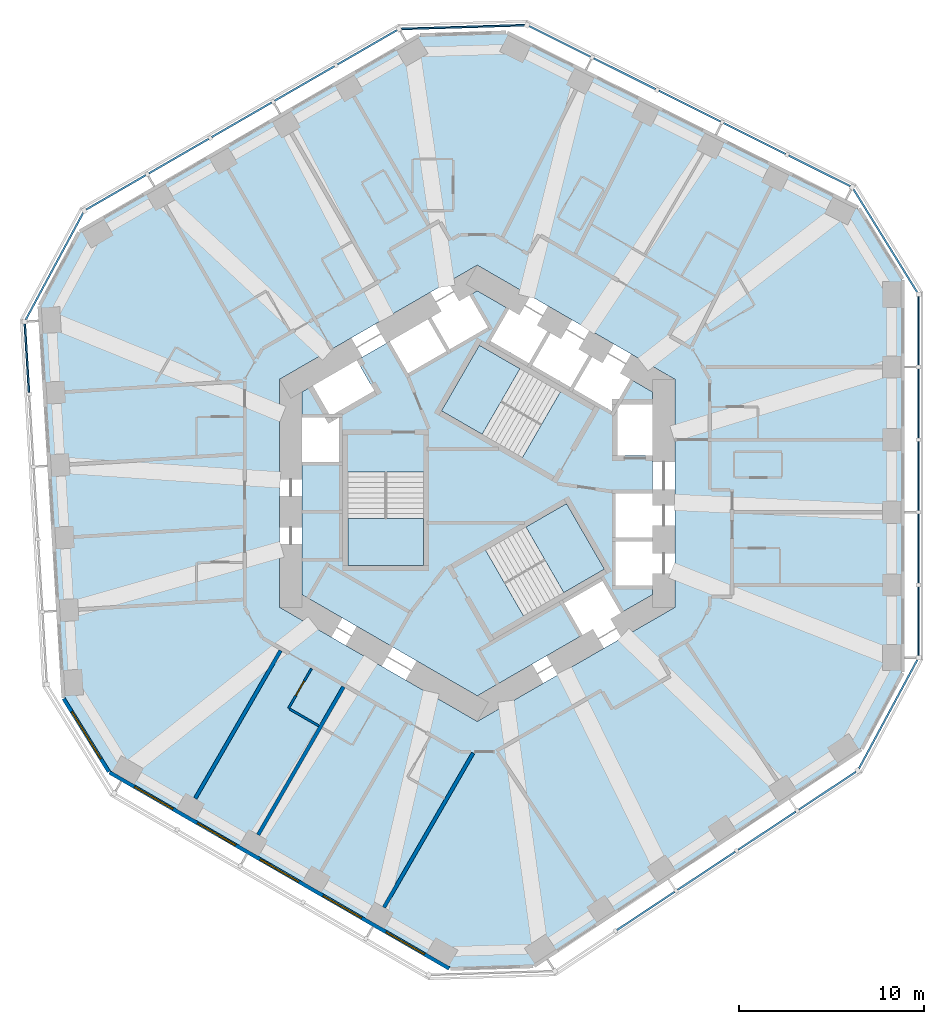
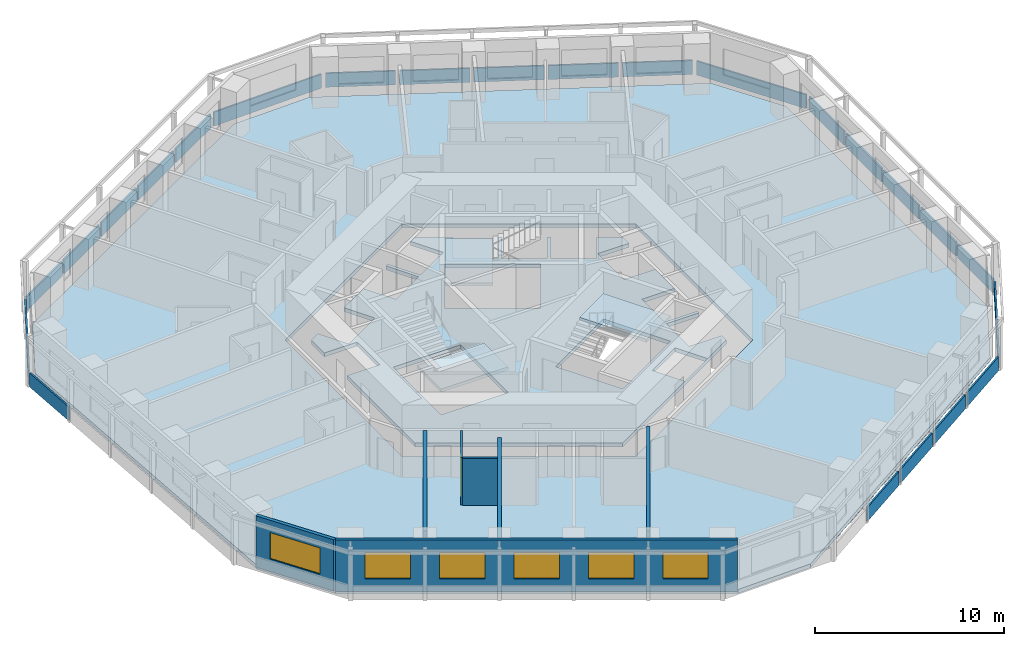
# One storey, part 3 of 12: 24 plates, 7 walls, 6 windows, 5 slabs, 1 door, 7 openings, 12 elements without a shape of their own.
"""IFC4 building model written with IfcOpenShell, lengths in metres."""

from ifc_helpers import new_model, si_unit, direction, frame, frame_2d, origin, origin_2d, place, context, subcontext, project, spatial, polyline, rectangle, outline, extrude, material, layer, layer_set, type_object, element, fill, aggregate, save


model = new_model("IFC4")

# Units and contexts
model_context = context("Model", 3, precision=1e-05, world=origin(), true_north=direction((0.0, 1.0)))
body_context = subcontext(model_context, "Body", "Model", "MODEL_VIEW")
ifc_project = project(units=[si_unit("LENGTHUNIT", "METRE"), si_unit("AREAUNIT", "SQUARE_METRE"), si_unit("VOLUMEUNIT", "CUBIC_METRE"), si_unit("PLANEANGLEUNIT", "RADIAN"), si_unit("MASSUNIT", "GRAM", prefix="KILO")], contexts=[model_context])

# Site, building, storey
site_placement = place(None, origin())
site = spatial("IfcSite", under=ifc_project, at=site_placement, CompositionType="ELEMENT")
building_placement = place(site_placement, origin())
building = spatial("IfcBuilding", under=site, at=building_placement, Name="Vanh Sen Convention Tower", CompositionType="ELEMENT")
storey_placement = place(building_placement, frame((0.0, 0.0, 90.199951171875)))
storey = spatial("IfcBuildingStorey", under=building, at=storey_placement, Name="L20", CompositionType="ELEMENT", Elevation=90.199951171875)

# Slabs
ifc_material_1 = material(Name="Concrete C40/50", Category="concrete")
ifc_layer_1 = layer(ifc_material_1, 0.25)
ifc_layer_set_1 = layer_set([ifc_layer_1], Name="Concrete C40/50")
slab_type_1 = type_object("IfcSlabType", Name="Core slab 250", PredefinedType="FLOOR", material=ifc_layer_set_1)
slab_1_placement = place(storey_placement, frame((0.0, 0.0, -0.25)))
element("IfcSlab", 1, at=slab_1_placement, inside=storey, type_object=slab_type_1, Name="Core slab L20", PredefinedType="FLOOR", context=body_context, shape_type="SweptSolid", body=[
    extrude(outline(polyline([(9.5, 5.48486328125), (9.5, 4.800048828125), (7.60009765625, 4.800048828125), (7.60009765625, 2.050048828125), (9.5, 2.050048828125), (9.5, 0.0), (7.5, 0.0), (7.5, -2.39990234375), (9.5, -2.39990234375), (9.5, -2.60009765625), (7.5, -2.60009765625), (7.5, -5.0), (9.5, -5.0), (9.5, -5.48486328125), (0.0, -10.9697265625), (-9.5, -5.48486328125), (-9.5, 1.699951171875), (-7.5, 1.699951171875), (-7.5, 4.10009765625), (-9.5, 4.10009765625), (-9.5, 5.48486328125), (-8.906982421875, 5.8271484375), (-7.956787109375, 4.181884765625), (-5.575439453125, 5.556884765625), (-6.525390625, 7.2021484375), (-4.75, 8.227294921875), (-3.75, 6.4951171875), (-1.67138671875, 7.6953125), (-2.67138671875, 9.42724609375), (-2.498291015625, 9.527099609375), (-1.498291015625, 7.795166015625), (0.580078125, 8.9951171875), (-0.419921875, 10.727294921875), (0.0, 10.9697265625), (1.718994140625, 9.977294921875), (0.718994140625, 8.2451171875), (2.79736328125, 7.045166015625), (3.79736328125, 8.777099609375), (3.970703125, 8.67724609375), (2.970703125, 6.9453125), (5.049072265625, 5.7451171875), (6.049072265625, 7.477294921875), (6.22216796875, 7.377197265625), (5.22216796875, 5.645263671875), (7.30078125, 4.4453125), (8.30078125, 6.17724609375), (9.5, 5.48486328125)]), holes=[polyline([(-7.0, 3.14990234375), (-7.0, -3.909912109375), (-2.89990234375, -3.909912109375), (-2.89990234375, 3.14990234375), (-2.89990234375, 1.1494140625), (-7.0, 1.1494140625), (-7.0, 3.14990234375)]), polyline([(4.495361328125, 5.487548828125), (6.22802734375, 4.4873046875), (0.11376953125, 8.01708984375), (-1.936279296875, 4.466552734375), (2.4453125, 1.936767578125), (4.495361328125, 5.487548828125)]), polyline([(7.781005859375, -6.477294921875), (6.781005859375, -4.7451171875), (4.70263671875, -5.9453125), (5.70263671875, -7.67724609375), (7.781005859375, -6.477294921875)]), polyline([(0.45458984375, -3.086181640625), (2.504638671875, -6.63671875), (6.88623046875, -4.107177734375), (4.836181640625, -0.556396484375), (-1.278076171875, -4.08642578125), (0.45458984375, -3.086181640625)])]), origin(), (0.0, 0.0, 1.0), 0.25),
])
ifc_layer_2 = layer(ifc_material_1, 0.25)
ifc_layer_set_2 = layer_set([ifc_layer_2], Name="Concrete C40/50")
slab_type_2 = type_object("IfcSlabType", Name="Floor slab 250 REI 120", PredefinedType="FLOOR", material=ifc_layer_set_2)
slab_2_placement = place(storey_placement, frame((0.0, 0.0, -0.25)))
element("IfcSlab", 2, at=slab_2_placement, inside=storey, type_object=slab_type_2, Name="Floor slab L20 tower", PredefinedType="FLOOR", context=body_context, shape_type="SweptSolid", body=[
    extrude(outline(polyline([(23.0, -9.69921875), (23.0, 11.57373046875), (20.620361328125, 15.419189453125), (1.58251953125, 24.911376953125), (-3.10009765625, 24.768310546875), (-21.523193359375, 14.131591796875), (-23.663818359375, 10.14794921875), (-22.364990234375, -11.085205078125), (-19.89990234375, -15.069091796875), (-1.476806640625, -25.705322265625), (3.04345703125, -25.5673828125), (20.78271484375, -13.825927734375), (23.0, -9.69921875)]), holes=[polyline([(0.0, 12.355224609375), (-10.699951171875, 6.177490234375), (-10.699951171875, -6.177490234375), (0.0, -12.355224609375), (10.699951171875, -6.177490234375), (10.699951171875, 6.177490234375), (0.0, 12.355224609375)])]), origin(), (0.0, 0.0, 1.0), 0.25),
])

# Curtain wall, plates
ifc_material_2 = material(Name="Concrete C50/60", Category="concrete")
curtain_wall_type = type_object("IfcCurtainWallType", Name="Outer skin hotel zone", PredefinedType="NOTDEFINED", material=ifc_material_2)
curtain_wall_1_placement = place(storey_placement, origin())
curtain_wall_1 = element("IfcCurtainWall", 3, at=curtain_wall_1_placement, inside=storey, type_object=curtain_wall_type, Name="OUTER SKIN E L20", PredefinedType="NOTDEFINED")
ifc_layer_3 = layer(ifc_material_2, 0.10009765625)
ifc_layer_set_3 = layer_set([ifc_layer_3], Name="Concrete C50/60")
plate_type = type_object("IfcPlateType", Name="Outer skin precast screen panel 100", PredefinedType="CURTAIN_PANEL", material=ifc_layer_set_3)
plate_1_placement = place(storey_placement, frame((23.89990234375, -6.91943359375, 0.0), z_axis=(0.0, 0.0, 1.0), x_axis=(0.0, 1.0, 0.0)))
plate_1 = element("IfcPlate", 4, at=plate_1_placement, type_object=plate_type, Name="OUTER SKIN screen panel E-1", PredefinedType="CURTAIN_PANEL", context=body_context, shape_type="SweptSolid", body=[
    extrude(rectangle(XDim=3.709716796875, YDim=0.10009765625, at=origin_2d()), origin(), (0.0, 0.0, 1.0), 0.89990234375),
])
plate_2_placement = place(storey_placement, frame((23.89990234375, -2.997314453125, 0.0), z_axis=(0.0, 0.0, 1.0), x_axis=(0.0, 1.0, 0.0)))
plate_2 = element("IfcPlate", 5, at=plate_2_placement, type_object=plate_type, Name="OUTER SKIN screen panel E-2", PredefinedType="CURTAIN_PANEL", context=body_context, shape_type="SweptSolid", body=[
    extrude(rectangle(XDim=3.734619140625, YDim=0.10009765625, at=origin_2d()), origin(), (0.0, 0.0, 1.0), 0.89990234375),
])
plate_3_placement = place(storey_placement, frame((23.89990234375, 0.937255859375, 0.0), z_axis=(0.0, 0.0, 1.0), x_axis=(0.0, 1.0, 0.0)))
plate_3 = element("IfcPlate", 6, at=plate_3_placement, type_object=plate_type, Name="OUTER SKIN screen panel E-3", PredefinedType="CURTAIN_PANEL", context=body_context, shape_type="SweptSolid", body=[
    extrude(rectangle(XDim=3.734619140625, YDim=0.10009765625, at=origin_2d()), origin(), (0.0, 0.0, 1.0), 0.89990234375),
])
plate_4_placement = place(storey_placement, frame((23.89990234375, 4.871826171875, 0.0), z_axis=(0.0, 0.0, 1.0), x_axis=(0.0, 1.0, 0.0)))
plate_4 = element("IfcPlate", 7, at=plate_4_placement, type_object=plate_type, Name="OUTER SKIN screen panel E-4", PredefinedType="CURTAIN_PANEL", context=body_context, shape_type="SweptSolid", body=[
    extrude(rectangle(XDim=3.734619140625, YDim=0.10009765625, at=origin_2d()), origin(), (0.0, 0.0, 1.0), 0.89990234375),
])
plate_5_placement = place(storey_placement, frame((23.89990234375, 8.7939453125, 0.0), z_axis=(0.0, 0.0, 1.0), x_axis=(0.0, 1.0, 0.0)))
plate_5 = element("IfcPlate", 8, at=plate_5_placement, type_object=plate_type, Name="OUTER SKIN screen panel E-5", PredefinedType="CURTAIN_PANEL", context=body_context, shape_type="SweptSolid", body=[
    extrude(rectangle(XDim=3.709716796875, YDim=0.10009765625, at=origin_2d()), origin(), (0.0, 0.0, 1.0), 0.89990234375),
])
aggregate(curtain_wall_1, [plate_1, plate_2, plate_3, plate_4, plate_5])

# Curtain wall, plate
curtain_wall_2_placement = place(storey_placement, origin())
curtain_wall_2 = element("IfcCurtainWall", 9, at=curtain_wall_2_placement, inside=storey, type_object=curtain_wall_type, Name="OUTER SKIN CH1 L20", PredefinedType="NOTDEFINED")
plate_6_placement = place(storey_placement, frame((22.102783203125, 13.677734375, 0.0), z_axis=(0.0, 0.0, 1.0), x_axis=(-0.526212439506, 0.850353143411, 0.0)))
plate_6 = element("IfcPlate", 10, at=plate_6_placement, type_object=plate_type, Name="OUTER SKIN screen panel CH1-1", PredefinedType="CURTAIN_PANEL", context=body_context, shape_type="SweptSolid", body=[
    extrude(rectangle(XDim=6.580078125, YDim=0.10009765625, at=origin_2d()), origin(), (0.0, 0.0, 1.0), 0.89990234375),
])
aggregate(curtain_wall_2, [plate_6])

# Curtain wall, plates
curtain_wall_3_placement = place(storey_placement, origin())
curtain_wall_3 = element("IfcCurtainWall", 11, at=curtain_wall_3_placement, inside=storey, type_object=curtain_wall_type, Name="OUTER SKIN NE L20", PredefinedType="NOTDEFINED")
plate_7_placement = place(storey_placement, frame((18.5341796875, 17.465087890625, 0.0), z_axis=(0.0, 0.0, 1.0), x_axis=(-0.894935140363, 0.446196251154, 0.0)))
plate_7 = element("IfcPlate", 12, at=plate_7_placement, type_object=plate_type, Name="OUTER SKIN screen panel NE-1", PredefinedType="CURTAIN_PANEL", context=body_context, shape_type="SweptSolid", body=[
    extrude(rectangle(XDim=3.709716796875, YDim=0.10009765625, at=origin_2d()), origin(), (0.0, 0.0, 1.0), 0.89990234375),
])
plate_8_placement = place(storey_placement, frame((15.024169921875, 19.215087890625, 0.0), z_axis=(0.0, 0.0, 1.0), x_axis=(-0.894935140363, 0.446196251154, 0.0)))
plate_8 = element("IfcPlate", 13, at=plate_8_placement, type_object=plate_type, Name="OUTER SKIN screen panel NE-2", PredefinedType="CURTAIN_PANEL", context=body_context, shape_type="SweptSolid", body=[
    extrude(rectangle(XDim=3.734619140625, YDim=0.10009765625, at=origin_2d()), origin(), (0.0, 0.0, 1.0), 0.89990234375),
])
plate_9_placement = place(storey_placement, frame((11.5029296875, 20.970703125, 0.0), z_axis=(0.0, 0.0, 1.0), x_axis=(-0.894935140363, 0.446196251154, 0.0)))
plate_9 = element("IfcPlate", 14, at=plate_9_placement, type_object=plate_type, Name="OUTER SKIN screen panel NE-3", PredefinedType="CURTAIN_PANEL", context=body_context, shape_type="SweptSolid", body=[
    extrude(rectangle(XDim=3.734619140625, YDim=0.10009765625, at=origin_2d()), origin(), (0.0, 0.0, 1.0), 0.89990234375),
])
plate_10_placement = place(storey_placement, frame((7.981689453125, 22.726318359375, 0.0), z_axis=(0.0, 0.0, 1.0), x_axis=(-0.894935140363, 0.446196251154, 0.0)))
plate_10 = element("IfcPlate", 15, at=plate_10_placement, type_object=plate_type, Name="OUTER SKIN screen panel NE-4", PredefinedType="CURTAIN_PANEL", context=body_context, shape_type="SweptSolid", body=[
    extrude(rectangle(XDim=3.734619140625, YDim=0.10009765625, at=origin_2d()), origin(), (0.0, 0.0, 1.0), 0.89990234375),
])
plate_11_placement = place(storey_placement, frame((4.4716796875, 24.476318359375, 0.0), z_axis=(0.0, 0.0, 1.0), x_axis=(-0.894935140363, 0.446196251154, 0.0)))
plate_11 = element("IfcPlate", 16, at=plate_11_placement, type_object=plate_type, Name="OUTER SKIN screen panel NE-5", PredefinedType="CURTAIN_PANEL", context=body_context, shape_type="SweptSolid", body=[
    extrude(rectangle(XDim=3.709716796875, YDim=0.10009765625, at=origin_2d()), origin(), (0.0, 0.0, 1.0), 0.89990234375),
])
aggregate(curtain_wall_3, [plate_7, plate_8, plate_9, plate_10, plate_11])

# Curtain wall, plate
curtain_wall_4_placement = place(storey_placement, origin())
curtain_wall_4 = element("IfcCurtainWall", 17, at=curtain_wall_4_placement, inside=storey, type_object=curtain_wall_type, Name="OUTER SKIN CH2 L20", PredefinedType="NOTDEFINED")
plate_12_placement = place(storey_placement, frame((-0.771484375, 25.253662109375, 0.0), z_axis=(0.0, 0.0, 1.0), x_axis=(-0.999533644135, -0.030536768695, 0.0)))
plate_12 = element("IfcPlate", 18, at=plate_12_placement, type_object=plate_type, Name="OUTER SKIN screen panel CH2-1", PredefinedType="CURTAIN_PANEL", context=body_context, shape_type="SweptSolid", body=[
    extrude(rectangle(XDim=6.696044921875, YDim=0.10009765625, at=origin_2d()), origin(), (0.0, 0.0, 1.0), 0.89990234375),
])
aggregate(curtain_wall_4, [plate_12])

# Curtain wall, plates
curtain_wall_5_placement = place(storey_placement, origin())
curtain_wall_5 = element("IfcCurtainWall", 19, at=curtain_wall_5_placement, inside=storey, type_object=curtain_wall_type, Name="OUTER SKIN NW L20", PredefinedType="NOTDEFINED")
plate_13_placement = place(storey_placement, frame((-5.95751953125, 24.15771484375, 0.0), z_axis=(0.0, 0.0, 1.0), x_axis=(-0.866028021766, -0.499995465495, 0.0)))
plate_13 = element("IfcPlate", 20, at=plate_13_placement, type_object=plate_type, Name="OUTER SKIN screen panel NW-1", PredefinedType="CURTAIN_PANEL", context=body_context, shape_type="SweptSolid", body=[
    extrude(rectangle(XDim=3.709716796875, YDim=0.10009765625, at=origin_2d()), origin(), (0.0, 0.0, 1.0), 0.89990234375),
])
plate_14_placement = place(storey_placement, frame((-9.354248046875, 22.19677734375, 0.0), z_axis=(0.0, 0.0, 1.0), x_axis=(-0.866021040428, -0.500007557478, 0.0)))
plate_14 = element("IfcPlate", 21, at=plate_14_placement, type_object=plate_type, Name="OUTER SKIN screen panel NW-2", PredefinedType="CURTAIN_PANEL", context=body_context, shape_type="SweptSolid", body=[
    extrude(rectangle(XDim=3.734619140625, YDim=0.10009765625, at=origin_2d()), origin(), (0.0, 0.0, 1.0), 0.89990234375),
])
plate_15_placement = place(storey_placement, frame((-12.76171875, 20.2294921875, 0.0), z_axis=(0.0, 0.0, 1.0), x_axis=(-0.866028021766, -0.499995465495, 0.0)))
plate_15 = element("IfcPlate", 22, at=plate_15_placement, type_object=plate_type, Name="OUTER SKIN screen panel NW-3", PredefinedType="CURTAIN_PANEL", context=body_context, shape_type="SweptSolid", body=[
    extrude(rectangle(XDim=3.734619140625, YDim=0.10009765625, at=origin_2d()), origin(), (0.0, 0.0, 1.0), 0.89990234375),
])
plate_16_placement = place(storey_placement, frame((-16.169189453125, 18.26220703125, 0.0), z_axis=(0.0, 0.0, 1.0), x_axis=(-0.866028021766, -0.499995465495, 0.0)))
plate_16 = element("IfcPlate", 23, at=plate_16_placement, type_object=plate_type, Name="OUTER SKIN screen panel NW-4", PredefinedType="CURTAIN_PANEL", context=body_context, shape_type="SweptSolid", body=[
    extrude(rectangle(XDim=3.734619140625, YDim=0.10009765625, at=origin_2d()), origin(), (0.0, 0.0, 1.0), 0.89990234375),
])
plate_17_placement = place(storey_placement, frame((-19.56591796875, 16.301025390625, 0.0), z_axis=(0.0, 0.0, 1.0), x_axis=(-0.866021040428, -0.500007557478, 0.0)))
plate_17 = element("IfcPlate", 24, at=plate_17_placement, type_object=plate_type, Name="OUTER SKIN screen panel NW-5", PredefinedType="CURTAIN_PANEL", context=body_context, shape_type="SweptSolid", body=[
    extrude(rectangle(XDim=3.70947265625, YDim=0.10009765625, at=origin_2d()), origin(), (0.0, 0.0, 1.0), 0.89990234375),
])
aggregate(curtain_wall_5, [plate_13, plate_14, plate_15, plate_16, plate_17])

# Curtain wall, plate
curtain_wall_6_placement = place(storey_placement, origin())
curtain_wall_6 = element("IfcCurtainWall", 25, at=curtain_wall_6_placement, inside=storey, type_object=curtain_wall_type, Name="OUTER SKIN CH3 L20", PredefinedType="NOTDEFINED")
plate_18_placement = place(storey_placement, frame((-22.896728515625, 12.302978515625, 0.0), z_axis=(0.0, 0.0, 1.0), x_axis=(-0.47331812974, -0.880891564303, 0.0)))
plate_18 = element("IfcPlate", 26, at=plate_18_placement, type_object=plate_type, Name="OUTER SKIN screen panel CH3-1", PredefinedType="CURTAIN_PANEL", context=body_context, shape_type="SweptSolid", body=[
    extrude(rectangle(XDim=6.580078125, YDim=0.10009765625, at=origin_2d()), origin(), (0.0, 0.0, 1.0), 0.89990234375),
])
aggregate(curtain_wall_6, [plate_18])

curtain_wall_7_placement = place(storey_placement, origin())
curtain_wall_7 = element("IfcCurtainWall", 27, at=curtain_wall_7_placement, inside=storey, type_object=curtain_wall_type, Name="OUTER SKIN W L20", PredefinedType="NOTDEFINED")
plate_19_placement = place(storey_placement, frame((-24.39208984375, 7.318603515625, 0.0), z_axis=(0.0, 0.0, 1.0), x_axis=(0.061046797461, -0.99813490497, 0.0)))
plate_19 = element("IfcPlate", 28, at=plate_19_placement, type_object=plate_type, Name="OUTER SKIN screen panel W-1", PredefinedType="CURTAIN_PANEL", context=body_context, shape_type="SweptSolid", body=[
    extrude(rectangle(XDim=3.709716796875, YDim=0.10009765625, at=origin_2d()), origin(), (0.0, 0.0, 1.0), 0.89990234375),
])
aggregate(curtain_wall_7, [plate_19])

# Curtain wall, plates
curtain_wall_8_placement = place(storey_placement, origin())
curtain_wall_8 = element("IfcCurtainWall", 29, at=curtain_wall_8_placement, inside=storey, type_object=curtain_wall_type, Name="OUTER SKIN SE L20", PredefinedType="NOTDEFINED")
plate_20_placement = place(storey_placement, frame((9.128662109375, -22.618896484375, 0.0), z_axis=(0.0, 0.0, 1.0), x_axis=(0.833891601892, 0.55192825285, 0.0)))
plate_20 = element("IfcPlate", 30, at=plate_20_placement, type_object=plate_type, Name="OUTER SKIN screen panel SE-2", PredefinedType="CURTAIN_PANEL", context=body_context, shape_type="SweptSolid", body=[
    extrude(rectangle(XDim=3.734619140625, YDim=0.10009765625, at=origin_2d()), origin(), (0.0, 0.0, 1.0), 0.89990234375),
])
plate_21_placement = place(storey_placement, frame((12.40966796875, -20.447265625, 0.0), z_axis=(0.0, 0.0, 1.0), x_axis=(0.833880042151, 0.551945717714, 0.0)))
plate_21 = element("IfcPlate", 31, at=plate_21_placement, type_object=plate_type, Name="OUTER SKIN screen panel SE-3", PredefinedType="CURTAIN_PANEL", context=body_context, shape_type="SweptSolid", body=[
    extrude(rectangle(XDim=3.734619140625, YDim=0.10009765625, at=origin_2d()), origin(), (0.0, 0.0, 1.0), 0.89990234375),
])
plate_22_placement = place(storey_placement, frame((15.690673828125, -18.275390625, 0.0), z_axis=(0.0, 0.0, 1.0), x_axis=(0.833891601892, 0.55192825285, 0.0)))
plate_22 = element("IfcPlate", 32, at=plate_22_placement, type_object=plate_type, Name="OUTER SKIN screen panel SE-4", PredefinedType="CURTAIN_PANEL", context=body_context, shape_type="SweptSolid", body=[
    extrude(rectangle(XDim=3.734619140625, YDim=0.10009765625, at=origin_2d()), origin(), (0.0, 0.0, 1.0), 0.89990234375),
])
plate_23_placement = place(storey_placement, frame((18.961181640625, -16.11083984375, 0.0), z_axis=(0.0, 0.0, 1.0), x_axis=(0.833880042151, 0.551945717714, 0.0)))
plate_23 = element("IfcPlate", 33, at=plate_23_placement, type_object=plate_type, Name="OUTER SKIN screen panel SE-5", PredefinedType="CURTAIN_PANEL", context=body_context, shape_type="SweptSolid", body=[
    extrude(rectangle(XDim=3.709716796875, YDim=0.10009765625, at=origin_2d()), origin(), (0.0, 0.0, 1.0), 0.89990234375),
])
aggregate(curtain_wall_8, [plate_20, plate_21, plate_22, plate_23])

# Curtain wall, plate
curtain_wall_9_placement = place(storey_placement, origin())
curtain_wall_9 = element("IfcCurtainWall", 34, at=curtain_wall_9_placement, inside=storey, type_object=curtain_wall_type, Name="OUTER SKIN CH6 L20", PredefinedType="NOTDEFINED")
plate_24_placement = place(storey_placement, frame((22.256103515625, -11.95849609375, 0.0), z_axis=(0.0, 0.0, 1.0), x_axis=(0.473322742071, 0.880889086003, 0.0)))
plate_24 = element("IfcPlate", 35, at=plate_24_placement, type_object=plate_type, Name="OUTER SKIN screen panel CH6-1", PredefinedType="CURTAIN_PANEL", context=body_context, shape_type="SweptSolid", body=[
    extrude(rectangle(XDim=6.6962890625, YDim=0.10009765625, at=origin_2d()), origin(), (0.0, 0.0, 1.0), 0.89990234375),
])
aggregate(curtain_wall_9, [plate_24])

# Stair, slab
ifc_material_3 = material(Name="Concrete C50/60", Category="concrete")
stair_type_1 = type_object("IfcStairType", Name="Exit stair ST1 20 risers at 165.0", PredefinedType="HALF_TURN_STAIR", material=ifc_material_3)
stair_1_placement = place(storey_placement, origin())
stair_1 = element("IfcStair", 36, at=stair_1_placement, inside=storey, type_object=stair_type_1, Name="Exit stair ST1 L20", PredefinedType="HALF_TURN_STAIR")
ifc_layer_4 = layer(ifc_material_1, 0.199951171875)
ifc_layer_set_4 = layer_set([ifc_layer_4], Name="Concrete C40/50")
slab_type_3 = type_object("IfcSlabType", Name="Stair landing 200", PredefinedType="LANDING", material=ifc_layer_set_4)
slab_3_placement = place(storey_placement, frame((0.0, 0.0, 1.449951171875)))
slab_3 = element("IfcSlab", 37, at=slab_3_placement, type_object=slab_type_3, Name="ST1 landing 1", PredefinedType="LANDING", context=body_context, shape_type="SweptSolid", body=[
    extrude(outline(polyline([(2.314208984375, 6.746826171875), (0.11376953125, 8.01708984375), (-1.936279296875, 4.466552734375), (0.26416015625, 3.196044921875), (2.314208984375, 6.746826171875)])), origin(), (0.0, 0.0, 1.0), 0.2001953125),
])
aggregate(stair_1, [slab_3])

stair_type_2 = type_object("IfcStairType", Name="Exit stair ST2 20 risers at 165.0", PredefinedType="HALF_TURN_STAIR", material=ifc_material_3)
stair_2_placement = place(storey_placement, origin())
stair_2 = element("IfcStair", 38, at=stair_2_placement, inside=storey, type_object=stair_type_2, Name="Exit stair ST2 L20", PredefinedType="HALF_TURN_STAIR")
slab_4_placement = place(storey_placement, frame((0.0, 0.0, 1.449951171875)))
slab_4 = element("IfcSlab", 39, at=slab_4_placement, type_object=slab_type_3, Name="ST2 landing 1", PredefinedType="LANDING", context=body_context, shape_type="SweptSolid", body=[
    extrude(outline(polyline([(-7.0, -1.369384765625), (-7.0, -3.909912109375), (-2.89990234375, -3.909912109375), (-2.89990234375, -1.369384765625), (-7.0, -1.369384765625)])), origin(), (0.0, 0.0, 1.0), 0.2001953125),
])
aggregate(stair_2, [slab_4])

stair_type_3 = type_object("IfcStairType", Name="Exit stair ST3 20 risers at 165.0", PredefinedType="HALF_TURN_STAIR", material=ifc_material_3)
stair_3_placement = place(storey_placement, origin())
stair_3 = element("IfcStair", 40, at=stair_3_placement, inside=storey, type_object=stair_type_3, Name="Exit stair ST3 L20", PredefinedType="HALF_TURN_STAIR")
slab_5_placement = place(storey_placement, frame((0.0, 0.0, 1.449951171875)))
slab_5 = element("IfcSlab", 41, at=slab_5_placement, type_object=slab_type_3, Name="ST3 landing 1", PredefinedType="LANDING", context=body_context, shape_type="SweptSolid", body=[
    extrude(outline(polyline([(4.685791015625, -5.37744140625), (6.88623046875, -4.107177734375), (4.836181640625, -0.556396484375), (2.6357421875, -1.826904296875), (4.685791015625, -5.37744140625)])), origin(), (0.0, 0.0, 1.0), 0.2001953125),
])
aggregate(stair_3, [slab_5])

# Wall, opening, door
ifc_material_4 = material(Name="Moisture-resistant gypsum board on steel studs", Category="steel")
ifc_layer_5 = layer(ifc_material_4, 0.1201171875)
ifc_layer_set_5 = layer_set([ifc_layer_5], Name="Moisture-resistant gypsum board on steel studs")
wall_type_1 = type_object("IfcWallType", Name="Bathroom partition 120", PredefinedType="PARTITIONING", material=ifc_layer_set_5)
wall_1_placement = place(storey_placement, frame((-10.22412109375, -11.6484375, 0.0), z_axis=(0.0, 0.0, 1.0), x_axis=(0.500004234368, 0.866022959057, 0.0)))
wall_1 = element("IfcWall", 42, at=wall_1_placement, inside=storey, type_object=wall_type_1, Name="Bathroom partition 120", PredefinedType="PARTITIONING", context=body_context, shape_type="SweptSolid", body=[
    extrude(rectangle(XDim=2.5, YDim=0.1201171875, at=frame_2d((1.25, 0.0))), origin(), (0.0, 0.0, 1.0), 3.050048828125),
])
opening_1_placement = place(wall_1_placement, frame((0.800048828125, 0.0, 0.0)))
opening_1 = element("IfcOpeningElement", 43, at=opening_1_placement, cuts=wall_1, Name="Opening D19132", PredefinedType="OPENING", context=body_context, shape_type="SweptSolid", body=[
    extrude(rectangle(XDim=0.89990234375, YDim=2.10009765625, at=frame_2d((0.449951171875, 1.050048828125))), frame((0.0, 0.070068359375, 0.0), z_axis=(0.0, -1.0, 0.0), x_axis=(1.0, 0.0, 0.0)), (0.0, 0.0, 1.0), 0.14013671875),
])
ifc_material_5 = material(Name="Laminate door in steel frame", Category="steel")
door_type = type_object("IfcDoorType", Name="En-suite door 900", OperationType="SINGLE_SWING_LEFT", PredefinedType="DOOR", material=ifc_material_5)
door_placement = place(opening_1_placement, origin())
door = element("IfcDoor", 44, at=door_placement, inside=storey, type_object=door_type, Name="En-suite door D19132", OperationType="SINGLE_SWING_LEFT", OverallHeight=2.10009765625, OverallWidth=0.89990234375, PredefinedType="DOOR", context=body_context, shape_type="SweptSolid", body=[
    extrude(rectangle(XDim=0.89990234375, YDim=2.10009765625, at=frame_2d((0.449951171875, 1.050048828125))), frame((0.0, 0.02490234375, 0.0), z_axis=(0.0, -1.0, 0.0), x_axis=(1.0, 0.0, 0.0)), (0.0, 0.0, 1.0), 0.050048828125),
])
fill(opening_1, door)

# Wall
wall_2_placement = place(storey_placement, frame((-8.57861328125, -12.598388671875, 0.0), z_axis=(0.0, 0.0, 1.0), x_axis=(-0.866046386007, 0.499963655964, 0.0)))
element("IfcWall", 45, at=wall_2_placement, inside=storey, type_object=wall_type_1, Name="Bathroom partition 120", PredefinedType="PARTITIONING", context=body_context, shape_type="SweptSolid", body=[
    extrude(rectangle(XDim=1.840087890625, YDim=0.1201171875, at=frame_2d((0.919921875, 0.0))), origin(), (0.0, 0.0, 1.0), 3.050048828125),
])

# Wall, opening, window
ifc_material_6 = material(Name="Insulated lightweight infill wall")
ifc_layer_6 = layer(ifc_material_6, 0.199951171875)
ifc_layer_set_6 = layer_set([ifc_layer_6], Name="Insulated lightweight infill wall")
wall_type_2 = type_object("IfcWallType", Name="External wall 200", PredefinedType="STANDARD", material=ifc_layer_set_6)
wall_3_placement = place(storey_placement, frame((-22.40087890625, -11.122314453125, 0.0), z_axis=(0.0, 0.0, 1.0), x_axis=(0.526197679914, -0.850362276711, 0.0)))
wall_3 = element("IfcWall", 46, at=wall_3_placement, inside=storey, type_object=wall_type_2, Name="External wall CH4 L20", PredefinedType="STANDARD", context=body_context, shape_type="SweptSolid", body=[
    extrude(rectangle(XDim=4.65966796875, YDim=0.199951171875, at=frame_2d((2.329833984375, 0.0))), origin(), (0.0, 0.0, 1.0), 3.300048828125),
])
opening_2_placement = place(wall_3_placement, frame((0.829833984375, 0.0, 0.800048828125)))
opening_2 = element("IfcOpeningElement", 47, at=opening_2_placement, cuts=wall_3, Name="Opening WH2-CH41", PredefinedType="OPENING", context=body_context, shape_type="SweptSolid", body=[
    extrude(rectangle(XDim=3.0, YDim=1.699951171875, at=frame_2d((1.5, 0.85009765625))), frame((0.0, 0.10986328125, 0.0), z_axis=(0.0, -1.0, 0.0), x_axis=(1.0, 0.0, 0.0)), (0.0, 0.0, 1.0), 0.219970703125),
])
ifc_material_7 = material(Name="Aluminium frame with clear low-emissivity glass", Category="aluminium")
window_type_1 = type_object("IfcWindowType", Name="Hotel window 3000 x 1700", PartitioningType="SINGLE_PANEL", PredefinedType="WINDOW", material=ifc_material_7)
window_1_placement = place(opening_2_placement, origin())
window_1 = element("IfcWindow", 48, at=window_1_placement, inside=storey, type_object=window_type_1, Name="Window WH2-CH41", OverallHeight=1.699951171875, OverallWidth=3.0, PartitioningType="SINGLE_PANEL", PredefinedType="WINDOW", context=body_context, shape_type="SweptSolid", body=[
    extrude(rectangle(XDim=3.0, YDim=1.699951171875, at=frame_2d((1.5, 0.85009765625))), frame((0.0, 0.030029296875, 0.0), z_axis=(0.0, -1.0, 0.0), x_axis=(1.0, 0.0, 0.0)), (0.0, 0.0, 1.0), 0.06005859375),
])
fill(opening_2, window_1)

# Wall, openings, windows
wall_4_placement = place(storey_placement, frame((-19.913818359375, -15.11865234375, 0.0), z_axis=(0.0, 0.0, 1.0), x_axis=(0.866025418898, -0.499999973822, 0.0)))
wall_4 = element("IfcWall", 49, at=wall_4_placement, inside=storey, type_object=wall_type_2, Name="External wall SW L20", PredefinedType="STANDARD", context=body_context, shape_type="SweptSolid", body=[
    extrude(rectangle(XDim=21.24609375, YDim=0.199951171875, at=frame_2d((10.623046875, 0.0))), origin(), (0.0, 0.0, 1.0), 3.300048828125),
])
opening_3_placement = place(wall_4_placement, frame((1.5546875, 0.0, 0.800048828125)))
opening_3 = element("IfcOpeningElement", 50, at=opening_3_placement, cuts=wall_4, Name="Opening WH1-SW1", PredefinedType="OPENING", context=body_context, shape_type="SweptSolid", body=[
    extrude(rectangle(XDim=2.39990234375, YDim=1.699951171875, at=frame_2d((1.199951171875, 0.85009765625))), frame((0.0, 0.10986328125, 0.0), z_axis=(0.0, -1.0, 0.0), x_axis=(1.0, 0.0, 0.0)), (0.0, 0.0, 1.0), 0.219970703125),
])
opening_4_placement = place(wall_4_placement, frame((5.4892578125, 0.0, 0.800048828125)))
opening_4 = element("IfcOpeningElement", 51, at=opening_4_placement, cuts=wall_4, Name="Opening WH1-SW2", PredefinedType="OPENING", context=body_context, shape_type="SweptSolid", body=[
    extrude(rectangle(XDim=2.39990234375, YDim=1.699951171875, at=frame_2d((1.199951171875, 0.85009765625))), frame((0.0, 0.10986328125, 0.0), z_axis=(0.0, -1.0, 0.0), x_axis=(1.0, 0.0, 0.0)), (0.0, 0.0, 1.0), 0.219970703125),
])
opening_5_placement = place(wall_4_placement, frame((9.423828125, 0.0, 0.800048828125)))
opening_5 = element("IfcOpeningElement", 52, at=opening_5_placement, cuts=wall_4, Name="Opening WH1-SW3", PredefinedType="OPENING", context=body_context, shape_type="SweptSolid", body=[
    extrude(rectangle(XDim=2.39990234375, YDim=1.699951171875, at=frame_2d((1.199951171875, 0.85009765625))), frame((0.0, 0.10986328125, 0.0), z_axis=(0.0, -1.0, 0.0), x_axis=(1.0, 0.0, 0.0)), (0.0, 0.0, 1.0), 0.219970703125),
])
opening_6_placement = place(wall_4_placement, frame((13.3583984375, 0.0, 0.800048828125)))
opening_6 = element("IfcOpeningElement", 53, at=opening_6_placement, cuts=wall_4, Name="Opening WH1-SW4", PredefinedType="OPENING", context=body_context, shape_type="SweptSolid", body=[
    extrude(rectangle(XDim=2.39990234375, YDim=1.699951171875, at=frame_2d((1.199951171875, 0.85009765625))), frame((0.0, 0.10986328125, 0.0), z_axis=(0.0, -1.0, 0.0), x_axis=(1.0, 0.0, 0.0)), (0.0, 0.0, 1.0), 0.219970703125),
])
opening_7_placement = place(wall_4_placement, frame((17.293212890625, 0.0, 0.800048828125)))
opening_7 = element("IfcOpeningElement", 54, at=opening_7_placement, cuts=wall_4, Name="Opening WH1-SW5", PredefinedType="OPENING", context=body_context, shape_type="SweptSolid", body=[
    extrude(rectangle(XDim=2.39990234375, YDim=1.699951171875, at=frame_2d((1.199951171875, 0.85009765625))), frame((0.0, 0.10986328125, 0.0), z_axis=(0.0, -1.0, 0.0), x_axis=(1.0, 0.0, 0.0)), (0.0, 0.0, 1.0), 0.219970703125),
])
window_type_2 = type_object("IfcWindowType", Name="Hotel window 2400 x 1700", PartitioningType="SINGLE_PANEL", PredefinedType="WINDOW", material=ifc_material_7)
window_2_placement = place(opening_3_placement, origin())
window_2 = element("IfcWindow", 55, at=window_2_placement, inside=storey, type_object=window_type_2, Name="Window WH1-SW1", OverallHeight=1.699951171875, OverallWidth=2.39990234375, PartitioningType="SINGLE_PANEL", PredefinedType="WINDOW", context=body_context, shape_type="SweptSolid", body=[
    extrude(rectangle(XDim=2.39990234375, YDim=1.699951171875, at=frame_2d((1.199951171875, 0.85009765625))), frame((0.0, 0.030029296875, 0.0), z_axis=(0.0, -1.0, 0.0), x_axis=(1.0, 0.0, 0.0)), (0.0, 0.0, 1.0), 0.06005859375),
])
fill(opening_3, window_2)
window_3_placement = place(opening_4_placement, origin())
window_3 = element("IfcWindow", 56, at=window_3_placement, inside=storey, type_object=window_type_2, Name="Window WH1-SW2", OverallHeight=1.699951171875, OverallWidth=2.39990234375, PartitioningType="SINGLE_PANEL", PredefinedType="WINDOW", context=body_context, shape_type="SweptSolid", body=[
    extrude(rectangle(XDim=2.39990234375, YDim=1.699951171875, at=frame_2d((1.199951171875, 0.85009765625))), frame((0.0, 0.030029296875, 0.0), z_axis=(0.0, -1.0, 0.0), x_axis=(1.0, 0.0, 0.0)), (0.0, 0.0, 1.0), 0.06005859375),
])
fill(opening_4, window_3)
window_4_placement = place(opening_5_placement, origin())
window_4 = element("IfcWindow", 57, at=window_4_placement, inside=storey, type_object=window_type_2, Name="Window WH1-SW3", OverallHeight=1.699951171875, OverallWidth=2.39990234375, PartitioningType="SINGLE_PANEL", PredefinedType="WINDOW", context=body_context, shape_type="SweptSolid", body=[
    extrude(rectangle(XDim=2.39990234375, YDim=1.699951171875, at=frame_2d((1.199951171875, 0.85009765625))), frame((0.0, 0.030029296875, 0.0), z_axis=(0.0, -1.0, 0.0), x_axis=(1.0, 0.0, 0.0)), (0.0, 0.0, 1.0), 0.06005859375),
])
fill(opening_5, window_4)
window_5_placement = place(opening_6_placement, origin())
window_5 = element("IfcWindow", 58, at=window_5_placement, inside=storey, type_object=window_type_2, Name="Window WH1-SW4", OverallHeight=1.699951171875, OverallWidth=2.39990234375, PartitioningType="SINGLE_PANEL", PredefinedType="WINDOW", context=body_context, shape_type="SweptSolid", body=[
    extrude(rectangle(XDim=2.39990234375, YDim=1.699951171875, at=frame_2d((1.199951171875, 0.85009765625))), frame((0.0, 0.030029296875, 0.0), z_axis=(0.0, -1.0, 0.0), x_axis=(1.0, 0.0, 0.0)), (0.0, 0.0, 1.0), 0.06005859375),
])
fill(opening_6, window_5)
window_6_placement = place(opening_7_placement, origin())
window_6 = element("IfcWindow", 59, at=window_6_placement, inside=storey, type_object=window_type_2, Name="Window WH1-SW5", OverallHeight=1.699951171875, OverallWidth=2.39990234375, PartitioningType="SINGLE_PANEL", PredefinedType="WINDOW", context=body_context, shape_type="SweptSolid", body=[
    extrude(rectangle(XDim=2.39990234375, YDim=1.699951171875, at=frame_2d((1.199951171875, 0.85009765625))), frame((0.0, 0.030029296875, 0.0), z_axis=(0.0, -1.0, 0.0), x_axis=(1.0, 0.0, 0.0)), (0.0, 0.0, 1.0), 0.06005859375),
])
fill(opening_7, window_6)

# Walls
ifc_material_8 = material(Name="Gypsum board on steel studs with mineral wool", Category="steel")
ifc_layer_7 = layer(ifc_material_8, 0.199951171875)
ifc_layer_set_7 = layer_set([ifc_layer_7], Name="Gypsum board on steel studs with mineral wool")
wall_type_3 = type_object("IfcWallType", Name="Hotel party wall 200", PredefinedType="PARTITIONING", material=ifc_layer_set_7)
wall_5_placement = place(storey_placement, frame((-15.2744140625, -16.527099609375, 0.0), z_axis=(0.0, 0.0, 1.0), x_axis=(0.49998823431, 0.866032196602, 0.0)))
element("IfcWall", 60, at=wall_5_placement, inside=storey, type_object=wall_type_3, Name="Hotel party wall 200", PredefinedType="PARTITIONING", context=body_context, shape_type="SweptSolid", body=[
    extrude(rectangle(XDim=9.250244140625, YDim=0.199951171875, at=frame_2d((4.625, 0.0))), origin(), (0.0, 0.0, 1.0), 3.050048828125),
])
wall_6_placement = place(storey_placement, frame((-11.8671875, -18.494140625, 0.0), z_axis=(0.0, 0.0, 1.0), x_axis=(0.499999662836, 0.866025598446, 0.0)))
element("IfcWall", 61, at=wall_6_placement, inside=storey, type_object=wall_type_3, Name="Hotel party wall 200", PredefinedType="PARTITIONING", context=body_context, shape_type="SweptSolid", body=[
    extrude(rectangle(XDim=9.25, YDim=0.199951171875, at=frame_2d((4.625, 0.0))), origin(), (0.0, 0.0, 1.0), 2.60009765625),
])
wall_7_placement = place(storey_placement, frame((-5.052001953125, -22.4287109375, 0.0), z_axis=(0.0, 0.0, 1.0), x_axis=(0.50000569793, 0.866022114058, 0.0)))
element("IfcWall", 62, at=wall_7_placement, inside=storey, type_object=wall_type_3, Name="Hotel party wall 200", PredefinedType="PARTITIONING", context=body_context, shape_type="SweptSolid", body=[
    extrude(rectangle(XDim=9.64990234375, YDim=0.199951171875, at=frame_2d((4.824951171875, 0.0))), origin(), (0.0, 0.0, 1.0), 3.050048828125),
])

save(model, "model.ifc")
